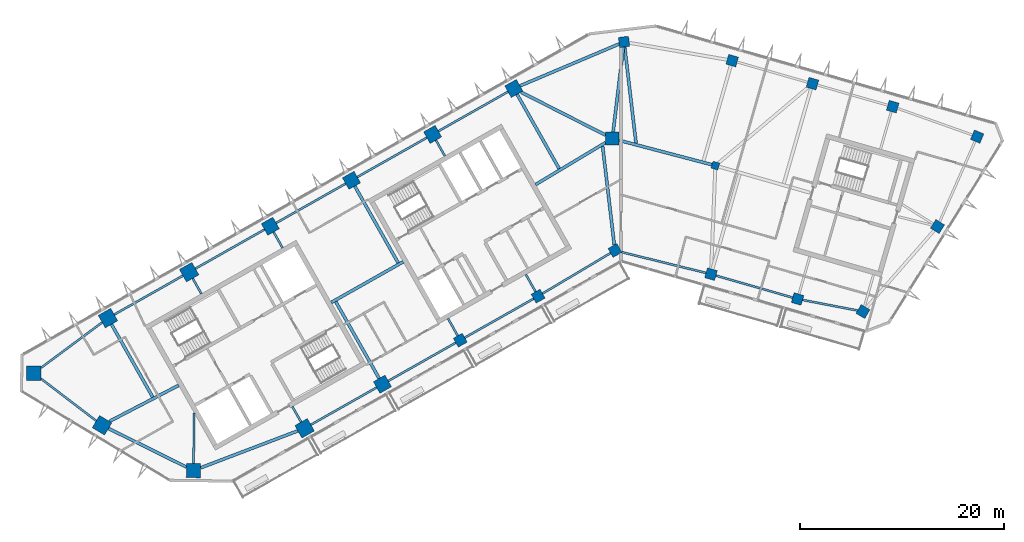
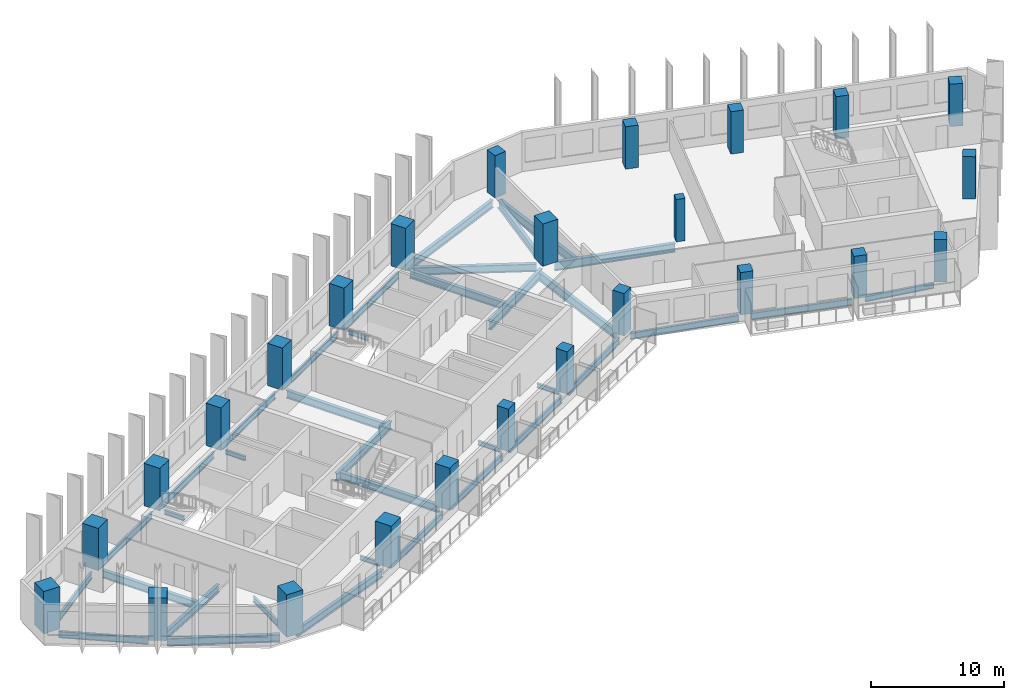
# One storey, part 1 of 12: 36 beams, 25 columns.
"""IFC4 building model written with IfcOpenShell, lengths in metres."""

from ifc_helpers import new_model, si_unit, direction, frame, origin, origin_2d, place, context, subcontext, project, spatial, rectangle, i_section, extrude, material, material_profile, profile_set, type_object, element, save


model = new_model("IFC4")

# Units and contexts
model_context = context("Model", 3, precision=1e-05, world=origin(), true_north=direction((0.0, 1.0)))
body_context = subcontext(model_context, "Body", "Model", "MODEL_VIEW")
ifc_project = project(units=[si_unit("LENGTHUNIT", "METRE"), si_unit("AREAUNIT", "SQUARE_METRE"), si_unit("VOLUMEUNIT", "CUBIC_METRE"), si_unit("PLANEANGLEUNIT", "RADIAN"), si_unit("MASSUNIT", "GRAM", prefix="KILO")], contexts=[model_context])

# Site, building, storey
site_placement = place(None, origin())
site = spatial("IfcSite", under=ifc_project, at=site_placement, CompositionType="ELEMENT")
building_placement = place(site_placement, origin())
building = spatial("IfcBuilding", under=site, at=building_placement, Name="Binnacle Exchange Tower", CompositionType="ELEMENT")
storey_placement = place(building_placement, frame((0.0, 0.0, 238.699951171875)))
storey = spatial("IfcBuildingStorey", under=building, at=storey_placement, Name="L52", CompositionType="ELEMENT", Elevation=238.699951171875)

# Columns
ifc_material_1 = material(Name="Concrete C60/75", Category="concrete")
ifc_material_profile_1 = material_profile(ifc_material_1, rectangle(XDim=0.699951171875, YDim=0.699951171875, at=origin_2d()), Name="Column 700x700 C60/75")
ifc_profile_set_1 = profile_set([ifc_material_profile_1], Name="Concrete C60/75")
column_type_1 = type_object("IfcColumnType", Name="Column 700x700 C60/75", PredefinedType="COLUMN", material=ifc_profile_set_1)
column_placement = place(storey_placement, frame((9.240966796875, 57.35009765625, 0.0), z_axis=(0.0, 0.0, 1.0), x_axis=(0.961261695938, -0.275637355817, 0.0)))
element("IfcColumn", 1, at=column_placement, inside=storey, type_object=column_type_1, Name="S:COL:C19:L52", PredefinedType="COLUMN", context=body_context, shape_type="SweptSolid", body=[
    extrude(rectangle(XDim=0.699951171875, YDim=0.699951171875, at=origin_2d()), origin(), (0.0, 0.0, 1.0), 3.900146484375),
])
ifc_material_profile_2 = material_profile(ifc_material_1, rectangle(XDim=1.0, YDim=1.0, at=origin_2d()), Name="Mega column 1000x1000 C60/75")
ifc_profile_set_2 = profile_set([ifc_material_profile_2], Name="Concrete C60/75")
column_type_2 = type_object("IfcColumnType", Name="Mega column 1000x1000 C60/75", PredefinedType="COLUMN", material=ifc_profile_set_2)
for number, where, z_axis, x_axis, name in (
    (2, (26.602783203125, 63.12353515625, 0.0), (0.0, 0.0, 1.0), (-0.961261695938, 0.275637355817, 0.0), "S:COL:MC52:L52"),
    (3, (18.746337890625, 65.376220703125, 0.0), (0.0, 0.0, 1.0), (-0.961261695938, 0.275637355817, 0.0), "S:COL:MC50:L52"),
    (4, (10.889892578125, 67.62890625, 0.0), (0.0, 0.0, 1.0), (-0.961261695938, 0.275637355817, 0.0), "S:COL:MC48:L52"),
    (5, (0.300048828125, 69.464111328125, 0.0), (0.0, 0.0, 1.0), (-0.993068456955, -0.117537397458, 0.0), "S:COL:MC47:L52"),
    (6, (-15.736328125, 40.257080078125, 0.0), (0.0, 0.0, 1.0), (0.87035569594, 0.492423560103, 0.0), "S:COL:MC24:L52"),
    (7, (-8.116943359375, 44.568115234375, 0.0), (0.0, 0.0, 1.0), (0.87035569594, 0.492423560103, 0.0), "S:COL:MC35:L52"),
    (8, (-0.5908203125, 49.04443359375, 0.0), (0.0, 0.0, 1.0), (0.87035569594, 0.492423560103, 0.0), "S:COL:MC46:L52"),
    (9, (8.8095703125, 46.722412109375, 0.0), (0.0, 0.0, 1.0), (0.961261695938, -0.275637355817, 0.0), "S:COL:MC49:L52"),
    (10, (17.2880859375, 44.291015625, 0.0), (0.0, 0.0, 1.0), (0.961261695938, -0.275637355817, 0.0), "S:COL:MC51:L52"),
    (11, (23.690185546875, 43.062744140625, 0.0), (0.0, 0.0, 1.0), (-0.86532642813, 0.501208711795, 0.0), "S:COL:MC53:L52"),
    (12, (30.989501953125, 51.38623046875, 0.0), (0.0, 0.0, 1.0), (0.529919264233, 0.848048096156, 0.0), "S:COL:MC55:L52"),
    (13, (34.870361328125, 60.18701171875, 0.0), (0.0, 0.0, 1.0), (-0.922814001807, 0.385245789164, 0.0), "S:COL:MC54:L52"),
):
    element("IfcColumn", number, at=place(storey_placement, frame(where, z_axis=z_axis, x_axis=x_axis)), inside=storey, type_object=column_type_2, Name=name, PredefinedType="COLUMN", context=body_context, shape_type="SweptSolid", body=[
        extrude(rectangle(XDim=1.0, YDim=1.0, at=origin_2d()), origin(), (0.0, 0.0, 1.0), 3.900146484375),
    ])
ifc_material_profile_3 = material_profile(ifc_material_1, rectangle(XDim=1.300048828125, YDim=1.300048828125, at=origin_2d()), Name="Mega column 1300x1300 C60/75")
ifc_profile_set_3 = profile_set([ifc_material_profile_3], Name="Concrete C60/75")
column_type_3 = type_object("IfcColumnType", Name="Mega column 1300x1300 C60/75", PredefinedType="COLUMN", material=ifc_profile_set_3)
for number, where, z_axis, x_axis, name in (
    (14, (-10.4951171875, 64.901611328125, 0.0), (0.0, 0.0, 1.0), (-0.87035569594, -0.492423560103, 0.0), "S:COL:MC38:L52"),
    (15, (-18.44140625, 60.406005859375, 0.0), (0.0, 0.0, 1.0), (-0.87035569594, -0.492423560103, 0.0), "S:COL:MC29:L52"),
    (16, (-26.3876953125, 55.91015625, 0.0), (0.0, 0.0, 1.0), (-0.87035569594, -0.492423560103, 0.0), "S:COL:MC21:L52"),
    (17, (-34.333740234375, 51.414306640625, 0.0), (0.0, 0.0, 1.0), (-0.87035569594, -0.492423560103, 0.0), "S:COL:MC13:L52"),
    (18, (-23.35595703125, 35.9462890625, 0.0), (0.0, 0.0, 1.0), (0.87035569594, 0.492423560103, 0.0), "S:COL:MC16:L52"),
    (19, (-0.85009765625, 60.0, 0.0), (0.0, 0.0, 1.0), (0.0, 1.0, 0.0), "S:COL:MC45:L52"),
):
    element("IfcColumn", number, at=place(storey_placement, frame(where, z_axis=z_axis, x_axis=x_axis)), inside=storey, type_object=column_type_3, Name=name, PredefinedType="COLUMN", context=body_context, shape_type="SweptSolid", body=[
        extrude(rectangle(XDim=1.300048828125, YDim=1.300048828125, at=origin_2d()), origin(), (0.0, 0.0, 1.0), 3.900146484375),
    ])
ifc_material_profile_4 = material_profile(ifc_material_1, rectangle(XDim=1.39990234375, YDim=1.39990234375, at=origin_2d()), Name="Mega column 1400x1400 C60/75")
ifc_profile_set_4 = profile_set([ifc_material_profile_4], Name="Concrete C60/75")
column_type_4 = type_object("IfcColumnType", Name="Mega column 1400x1400 C60/75", PredefinedType="COLUMN", material=ifc_profile_set_4)
for number, where, z_axis, x_axis, name in (
    (20, (-42.280029296875, 46.918701171875, 0.0), (0.0, 0.0, 1.0), (-0.87035569594, -0.492423560103, 0.0), "S:COL:MC08:L52"),
    (21, (-50.226318359375, 42.4228515625, 0.0), (0.0, 0.0, 1.0), (-0.87035569594, -0.492423560103, 0.0), "S:COL:MC04:L52"),
    (22, (-57.492919921875, 37.02734375, 0.0), (0.0, 0.0, 1.0), (-0.013089595571, -0.999914327574, 0.0), "S:COL:MC02:L52"),
    (23, (-50.81201171875, 31.930908203125, 0.0), (0.0, 0.0, 1.0), (0.857167300702, -0.51503807491, 0.0), "S:COL:MC01:L52"),
    (24, (-41.857666015625, 27.494873046875, 0.0), (0.0, 0.0, 1.0), (0.999914327574, -0.013089595571, 0.0), "S:COL:MC03:L52"),
    (25, (-30.9755859375, 31.63525390625, 0.0), (0.0, 0.0, 1.0), (0.87035569594, 0.492423560103, 0.0), "S:COL:MC07:L52"),
):
    element("IfcColumn", number, at=place(storey_placement, frame(where, z_axis=z_axis, x_axis=x_axis)), inside=storey, type_object=column_type_4, Name=name, PredefinedType="COLUMN", context=body_context, shape_type="SweptSolid", body=[
        extrude(rectangle(XDim=1.39990234375, YDim=1.39990234375, at=origin_2d()), origin(), (0.0, 0.0, 1.0), 3.900146484375),
    ])

# Beams
ifc_material_2 = material(Name="Steel S355 (SHN355)", Category="steel")
ifc_material_profile_5 = material_profile(ifc_material_2, i_section(OverallWidth=0.199951171875, OverallDepth=0.5, WebThickness=0.010009765625, FlangeThickness=0.01611328125, FilletRadius=0.02001953125, at=origin_2d()), Name="H 500x200x10x16")
ifc_profile_set_5 = profile_set([ifc_material_profile_5], Name="Steel S355 (SHN355)")
beam_type_1 = type_object("IfcBeamType", Name="Edge girder H 500x200x10x16 Steel S355 (SHN355)", PredefinedType="SPANDREL", material=ifc_profile_set_5)
beam_1_placement = place(storey_placement, frame((17.78125, 44.196533203125, -0.530029296875), z_axis=(0.98208728148, -0.188426568073, 0.0), x_axis=(0.188426568073, 0.98208728148, 0.0)))
element("IfcBeam", 26, at=beam_1_placement, inside=storey, type_object=beam_type_1, Name="S:BM:edge:L52:028", PredefinedType="SPANDREL", context=body_context, shape_type="SweptSolid", body=[
    extrude(i_section(OverallWidth=0.199951171875, OverallDepth=0.5, WebThickness=0.010009765625, FlangeThickness=0.01611328125, FilletRadius=0.02001953125, at=origin_2d()), origin(), (0.0, 0.0, 1.0), 5.4873046875),
])
ifc_material_profile_6 = material_profile(ifc_material_2, i_section(OverallWidth=0.199951171875, OverallDepth=0.60009765625, WebThickness=0.010986328125, FlangeThickness=0.01708984375, FilletRadius=0.02197265625, at=origin_2d()), Name="H 600x200x11x17")
ifc_profile_set_6 = profile_set([ifc_material_profile_6], Name="Steel S355 (SHN355)")
beam_type_2 = type_object("IfcBeamType", Name="Edge girder H 600x200x11x17 Steel S355 (SHN355)", PredefinedType="SPANDREL", material=ifc_profile_set_6)
beam_2_placement = place(storey_placement, frame((-56.7998046875, 36.49853515625, -0.579833984375), z_axis=(0.795081038606, -0.606503208606, 0.0), x_axis=(0.606503208606, 0.795081038606, 0.0)))
element("IfcBeam", 27, at=beam_2_placement, inside=storey, type_object=beam_type_2, Name="S:BM:edge:L52:011", PredefinedType="SPANDREL", context=body_context, shape_type="SweptSolid", body=[
    extrude(i_section(OverallWidth=0.199951171875, OverallDepth=0.60009765625, WebThickness=0.010986328125, FlangeThickness=0.01708984375, FilletRadius=0.02197265625, at=origin_2d()), origin(), (0.0, 0.0, 1.0), 6.82666015625),
])
ifc_material_profile_7 = material_profile(ifc_material_2, i_section(OverallWidth=0.200927734375, OverallDepth=0.60595703125, WebThickness=0.011962890625, FlangeThickness=0.02001953125, FilletRadius=0.02197265625, at=origin_2d()), Name="H 606x201x12x20")
ifc_profile_set_7 = profile_set([ifc_material_profile_7], Name="Steel S355 (SHN355)")
beam_type_3 = type_object("IfcBeamType", Name="Edge girder H 606x201x12x20 Steel S355 (SHN355)", PredefinedType="SPANDREL", material=ifc_profile_set_7)
beam_3_placement = place(storey_placement, frame((-50.79248046875, 42.00244140625, -0.5830078125), z_axis=(-0.802886959261, -0.596131303194, 0.0), x_axis=(0.596131303194, -0.802886959261, 0.0)))
element("IfcBeam", 28, at=beam_3_placement, inside=storey, type_object=beam_type_3, Name="S:BM:edge:L52:012", PredefinedType="SPANDREL", context=body_context, shape_type="SweptSolid", body=[
    extrude(i_section(OverallWidth=0.200927734375, OverallDepth=0.60595703125, WebThickness=0.011962890625, FlangeThickness=0.02001953125, FilletRadius=0.02197265625, at=origin_2d()), origin(), (0.0, 0.0, 1.0), 7.465087890625),
])
beam_4_placement = place(storey_placement, frame((-30.3662109375, 31.97998046875, -0.5830078125), z_axis=(0.87035151347, 0.49243095252, 0.0), x_axis=(-0.49243095252, 0.87035151347, 0.0)))
element("IfcBeam", 29, at=beam_4_placement, inside=storey, type_object=beam_type_3, Name="S:BM:edge:L52:017", PredefinedType="SPANDREL", context=body_context, shape_type="SweptSolid", body=[
    extrude(i_section(OverallWidth=0.200927734375, OverallDepth=0.60595703125, WebThickness=0.011962890625, FlangeThickness=0.02001953125, FilletRadius=0.02197265625, at=origin_2d()), origin(), (0.0, 0.0, 1.0), 7.404541015625),
])
beam_5_placement = place(storey_placement, frame((-22.790283203125, 36.266357421875, -0.5830078125), z_axis=(0.870357072119, 0.492421127708, 0.0), x_axis=(-0.492421127708, 0.870357072119, 0.0)))
element("IfcBeam", 30, at=beam_5_placement, inside=storey, type_object=beam_type_3, Name="S:BM:edge:L52:019", PredefinedType="SPANDREL", context=body_context, shape_type="SweptSolid", body=[
    extrude(i_section(OverallWidth=0.200927734375, OverallDepth=0.60595703125, WebThickness=0.011962890625, FlangeThickness=0.02001953125, FilletRadius=0.02197265625, at=origin_2d()), origin(), (0.0, 0.0, 1.0), 7.6044921875),
])
beam_6_placement = place(storey_placement, frame((-15.30126953125, 40.50341796875, -0.5830078125), z_axis=(0.870352841483, 0.492428605304, 0.0), x_axis=(-0.492428605304, 0.870352841483, 0.0)))
element("IfcBeam", 31, at=beam_6_placement, inside=storey, type_object=beam_type_3, Name="S:BM:edge:L52:021", PredefinedType="SPANDREL", context=body_context, shape_type="SweptSolid", body=[
    extrude(i_section(OverallWidth=0.200927734375, OverallDepth=0.60595703125, WebThickness=0.011962890625, FlangeThickness=0.02001953125, FilletRadius=0.02197265625, at=origin_2d()), origin(), (0.0, 0.0, 1.0), 7.754638671875),
])
beam_7_placement = place(storey_placement, frame((-7.68701171875, 44.82373046875, -0.5830078125), z_axis=(0.859458521045, 0.51120548765, 0.0), x_axis=(-0.51120548765, 0.859458521045, 0.0)))
element("IfcBeam", 32, at=beam_7_placement, inside=storey, type_object=beam_type_3, Name="S:BM:edge:L52:023", PredefinedType="SPANDREL", context=body_context, shape_type="SweptSolid", body=[
    extrude(i_section(OverallWidth=0.200927734375, OverallDepth=0.60595703125, WebThickness=0.011962890625, FlangeThickness=0.02001953125, FilletRadius=0.02197265625, at=origin_2d()), origin(), (0.0, 0.0, 1.0), 7.75634765625),
])
beam_8_placement = place(storey_placement, frame((9.2900390625, 46.58447265625, -0.5830078125), z_axis=(0.961265533153, -0.275623973506, 0.0), x_axis=(0.275623973506, 0.961265533153, 0.0)))
element("IfcBeam", 33, at=beam_8_placement, inside=storey, type_object=beam_type_3, Name="S:BM:edge:L52:026", PredefinedType="SPANDREL", context=body_context, shape_type="SweptSolid", body=[
    extrude(i_section(OverallWidth=0.200927734375, OverallDepth=0.60595703125, WebThickness=0.011962890625, FlangeThickness=0.02001953125, FilletRadius=0.02197265625, at=origin_2d()), origin(), (0.0, 0.0, 1.0), 7.820556640625),
])
ifc_material_profile_8 = material_profile(ifc_material_2, i_section(OverallWidth=0.201904296875, OverallDepth=0.612060546875, WebThickness=0.012939453125, FlangeThickness=0.02294921875, FilletRadius=0.02197265625, at=origin_2d()), Name="H 612x202x13x23")
ifc_profile_set_8 = profile_set([ifc_material_profile_8], Name="Steel S355 (SHN355)")
beam_type_4 = type_object("IfcBeamType", Name="Edge girder H 612x202x13x23 Steel S355 (SHN355)", PredefinedType="SPANDREL", material=ifc_profile_set_8)
beam_9_placement = place(storey_placement, frame((-42.88916015625, 46.573974609375, -0.5859375), z_axis=(-0.870355702011, -0.492423549372, 0.0), x_axis=(0.492423549372, -0.870355702011, 0.0)))
element("IfcBeam", 34, at=beam_9_placement, inside=storey, type_object=beam_type_4, Name="S:BM:edge:L52:014", PredefinedType="SPANDREL", context=body_context, shape_type="SweptSolid", body=[
    extrude(i_section(OverallWidth=0.201904296875, OverallDepth=0.612060546875, WebThickness=0.012939453125, FlangeThickness=0.02294921875, FilletRadius=0.02197265625, at=origin_2d()), origin(), (0.0, 0.0, 1.0), 7.72998046875),
])
beam_10_placement = place(storey_placement, frame((-34.8994140625, 51.09423828125, -0.5859375), z_axis=(-0.870365218126, -0.492406729317, 0.0), x_axis=(0.492406729317, -0.870365218126, 0.0)))
element("IfcBeam", 35, at=beam_10_placement, inside=storey, type_object=beam_type_4, Name="S:BM:edge:L52:016", PredefinedType="SPANDREL", context=body_context, shape_type="SweptSolid", body=[
    extrude(i_section(OverallWidth=0.201904296875, OverallDepth=0.612060546875, WebThickness=0.012939453125, FlangeThickness=0.02294921875, FilletRadius=0.02197265625, at=origin_2d()), origin(), (0.0, 0.0, 1.0), 7.77978515625),
])
beam_11_placement = place(storey_placement, frame((-26.953369140625, 55.590087890625, -0.5859375), z_axis=(-0.870361249296, -0.492413744452, 0.0), x_axis=(0.492413744452, -0.870361249296, 0.0)))
element("IfcBeam", 36, at=beam_11_placement, inside=storey, type_object=beam_type_4, Name="S:BM:edge:L52:018", PredefinedType="SPANDREL", context=body_context, shape_type="SweptSolid", body=[
    extrude(i_section(OverallWidth=0.201904296875, OverallDepth=0.612060546875, WebThickness=0.012939453125, FlangeThickness=0.02294921875, FilletRadius=0.02197265625, at=origin_2d()), origin(), (0.0, 0.0, 1.0), 7.829833984375),
])
beam_12_placement = place(storey_placement, frame((-19.007080078125, 60.0859375, -0.5859375), z_axis=(-0.870355446453, -0.492424001069, 0.0), x_axis=(0.492424001069, -0.870355446453, 0.0)))
element("IfcBeam", 37, at=beam_12_placement, inside=storey, type_object=beam_type_4, Name="S:BM:edge:L52:020", PredefinedType="SPANDREL", context=body_context, shape_type="SweptSolid", body=[
    extrude(i_section(OverallWidth=0.201904296875, OverallDepth=0.612060546875, WebThickness=0.012939453125, FlangeThickness=0.02294921875, FilletRadius=0.02197265625, at=origin_2d()), origin(), (0.0, 0.0, 1.0), 7.830078125),
])
beam_13_placement = place(storey_placement, frame((-11.060791015625, 64.58154296875, -0.5859375), z_axis=(-0.870361249296, -0.492413744452, 0.0), x_axis=(0.492413744452, -0.870361249296, 0.0)))
element("IfcBeam", 38, at=beam_13_placement, inside=storey, type_object=beam_type_4, Name="S:BM:edge:L52:022", PredefinedType="SPANDREL", context=body_context, shape_type="SweptSolid", body=[
    extrude(i_section(OverallWidth=0.201904296875, OverallDepth=0.612060546875, WebThickness=0.012939453125, FlangeThickness=0.02294921875, FilletRadius=0.02197265625, at=origin_2d()), origin(), (0.0, 0.0, 1.0), 7.829833984375),
])
beam_14_placement = place(storey_placement, frame((0.076904296875, 48.87939453125, -0.5859375), z_axis=(0.970819987475, -0.239809407487, 0.0), x_axis=(0.239809407487, 0.970819987475, 0.0)))
element("IfcBeam", 39, at=beam_14_placement, inside=storey, type_object=beam_type_4, Name="S:BM:edge:L52:025", PredefinedType="SPANDREL", context=body_context, shape_type="SweptSolid", body=[
    extrude(i_section(OverallWidth=0.201904296875, OverallDepth=0.612060546875, WebThickness=0.012939453125, FlangeThickness=0.02294921875, FilletRadius=0.02197265625, at=origin_2d()), origin(), (0.0, 0.0, 1.0), 8.49462890625),
])
ifc_material_profile_9 = material_profile(ifc_material_2, i_section(OverallWidth=0.300048828125, OverallDepth=0.699951171875, WebThickness=0.012939453125, FlangeThickness=0.02392578125, FilletRadius=0.028076171875, at=origin_2d()), Name="H 700x300x13x24")
ifc_profile_set_9 = profile_set([ifc_material_profile_9], Name="Steel S355 (SHN355)")
beam_type_5 = type_object("IfcBeamType", Name="Edge girder H 700x300x13x24 Steel S355 (SHN355)", PredefinedType="SPANDREL", material=ifc_profile_set_9)
beam_15_placement = place(storey_placement, frame((-50.1826171875, 31.619140625, -0.6298828125), z_axis=(0.896061326398, -0.443930286569, 0.0), x_axis=(0.443930286569, 0.896061326398, 0.0)))
element("IfcBeam", 40, at=beam_15_placement, inside=storey, type_object=beam_type_5, Name="S:BM:edge:L52:013", PredefinedType="SPANDREL", context=body_context, shape_type="SweptSolid", body=[
    extrude(i_section(OverallWidth=0.300048828125, OverallDepth=0.699951171875, WebThickness=0.012939453125, FlangeThickness=0.02392578125, FilletRadius=0.028076171875, at=origin_2d()), origin(), (0.0, 0.0, 1.0), 8.514404296875),
])
beam_16_placement = place(storey_placement, frame((-41.154052734375, 27.762451171875, -0.6298828125), z_axis=(0.934627442278, 0.355628379268, 0.0), x_axis=(-0.355628379268, 0.934627442278, 0.0)))
element("IfcBeam", 41, at=beam_16_placement, inside=storey, type_object=beam_type_5, Name="S:BM:edge:L52:015", PredefinedType="SPANDREL", context=body_context, shape_type="SweptSolid", body=[
    extrude(i_section(OverallWidth=0.300048828125, OverallDepth=0.699951171875, WebThickness=0.012939453125, FlangeThickness=0.02392578125, FilletRadius=0.028076171875, at=origin_2d()), origin(), (0.0, 0.0, 1.0), 10.18212890625),
])
beam_17_placement = place(storey_placement, frame((-0.179443359375, 69.261474609375, -0.6298828125), z_axis=(-0.921114178723, -0.389292524659, 0.0), x_axis=(0.389292524659, -0.921114178723, 0.0)))
element("IfcBeam", 42, at=beam_17_placement, inside=storey, type_object=beam_type_5, Name="S:BM:edge:L52:024", PredefinedType="SPANDREL", context=body_context, shape_type="SweptSolid", body=[
    extrude(i_section(OverallWidth=0.300048828125, OverallDepth=0.699951171875, WebThickness=0.012939453125, FlangeThickness=0.02392578125, FilletRadius=0.028076171875, at=origin_2d()), origin(), (0.0, 0.0, 1.0), 10.544677734375),
])
ifc_material_profile_10 = material_profile(ifc_material_2, i_section(OverallWidth=0.199951171875, OverallDepth=0.39990234375, WebThickness=0.008056640625, FlangeThickness=0.012939453125, FilletRadius=0.01611328125, at=origin_2d()), Name="H 400x200x8x13")
ifc_profile_set_10 = profile_set([ifc_material_profile_10], Name="Steel S355 (SHN355)")
beam_type_6 = type_object("IfcBeamType", Name="Floor beam H 400x200x8x13 Steel S355 (SHN355)", PredefinedType="BEAM", material=ifc_profile_set_10)
beam_18_placement = place(storey_placement, frame((-41.935302734375, 46.3095703125, -0.47998046875), z_axis=(0.492405102951, -0.870366138236, 0.0), x_axis=(0.870366138236, 0.492405102951, 0.0)))
element("IfcBeam", 43, at=beam_18_placement, inside=storey, type_object=beam_type_6, Name="S:BM:cross:L52:035", PredefinedType="BEAM", context=body_context, shape_type="SweptSolid", body=[
    extrude(i_section(OverallWidth=0.199951171875, OverallDepth=0.39990234375, WebThickness=0.008056640625, FlangeThickness=0.012939453125, FilletRadius=0.01611328125, at=origin_2d()), origin(), (0.0, 0.0, 1.0), 1.734375),
])
beam_19_placement = place(storey_placement, frame((-34.013671875, 50.8486328125, -0.47998046875), z_axis=(0.492435931281, -0.870348696548, 0.0), x_axis=(0.870348696548, 0.492435931281, 0.0)))
element("IfcBeam", 44, at=beam_19_placement, inside=storey, type_object=beam_type_6, Name="S:BM:cross:L52:037", PredefinedType="BEAM", context=body_context, shape_type="SweptSolid", body=[
    extrude(i_section(OverallWidth=0.199951171875, OverallDepth=0.39990234375, WebThickness=0.008056640625, FlangeThickness=0.012939453125, FilletRadius=0.01611328125, at=origin_2d()), origin(), (0.0, 0.0, 1.0), 1.784423828125),
])
beam_20_placement = place(storey_placement, frame((-31.3203125, 32.244384765625, -0.47998046875), z_axis=(-0.492405102951, 0.870366138236, 0.0), x_axis=(-0.870366138236, -0.492405102951, 0.0)))
element("IfcBeam", 45, at=beam_20_placement, inside=storey, type_object=beam_type_6, Name="S:BM:cross:L52:038", PredefinedType="BEAM", context=body_context, shape_type="SweptSolid", body=[
    extrude(i_section(OverallWidth=0.199951171875, OverallDepth=0.39990234375, WebThickness=0.008056640625, FlangeThickness=0.012939453125, FilletRadius=0.01611328125, at=origin_2d()), origin(), (0.0, 0.0, 1.0), 1.734375),
])
beam_21_placement = place(storey_placement, frame((-18.12109375, 59.84033203125, -0.47998046875), z_axis=(0.49233227435, -0.870407336615, 0.0), x_axis=(0.870407336615, 0.49233227435, 0.0)))
element("IfcBeam", 46, at=beam_21_placement, inside=storey, type_object=beam_type_6, Name="S:BM:cross:L52:041", PredefinedType="BEAM", context=body_context, shape_type="SweptSolid", body=[
    extrude(i_section(OverallWidth=0.199951171875, OverallDepth=0.39990234375, WebThickness=0.008056640625, FlangeThickness=0.012939453125, FilletRadius=0.01611328125, at=origin_2d()), origin(), (0.0, 0.0, 1.0), 1.7841796875),
])
for number, where, z_axis, x_axis, name in (
    (47, (-15.982666015625, 40.6923828125, -0.47998046875), (-0.492369148916, 0.870386478063, 0.0), (-0.870386478063, -0.492369148916, 0.0), "S:BM:cross:L52:042"),
    (48, (-8.363037109375, 45.00341796875, -0.47998046875), (-0.492518856771, 0.870301772792, 0.0), (-0.870301772792, -0.492518856771, 0.0), "S:BM:cross:L52:044"),
):
    element("IfcBeam", number, at=place(storey_placement, frame(where, z_axis=z_axis, x_axis=x_axis)), inside=storey, type_object=beam_type_6, Name=name, PredefinedType="BEAM", context=body_context, shape_type="SweptSolid", body=[
        extrude(i_section(OverallWidth=0.199951171875, OverallDepth=0.39990234375, WebThickness=0.008056640625, FlangeThickness=0.012939453125, FilletRadius=0.01611328125, at=origin_2d()), origin(), (0.0, 0.0, 1.0), 1.934326171875),
    ])
ifc_material_profile_11 = material_profile(ifc_material_2, i_section(OverallWidth=0.200927734375, OverallDepth=0.506103515625, WebThickness=0.010986328125, FlangeThickness=0.01904296875, FilletRadius=0.02001953125, at=origin_2d()), Name="H 506x201x11x19")
ifc_profile_set_11 = profile_set([ifc_material_profile_11], Name="Steel S355 (SHN355)")
beam_type_7 = type_object("IfcBeamType", Name="Floor beam H 506x201x11x19 Steel S355 (SHN355)", PredefinedType="BEAM", material=ifc_profile_set_11)
beam_22_placement = place(storey_placement, frame((-41.848388671875, 28.194580078125, -0.532958984375), z_axis=(0.013067878487, 0.99991461163, 0.0), x_axis=(-0.99991461163, 0.013067878487, 0.0)))
element("IfcBeam", 49, at=beam_22_placement, inside=storey, type_object=beam_type_7, Name="S:BM:cross:L52:036", PredefinedType="BEAM", context=body_context, shape_type="SweptSolid", body=[
    extrude(i_section(OverallWidth=0.200927734375, OverallDepth=0.506103515625, WebThickness=0.010986328125, FlangeThickness=0.01904296875, FilletRadius=0.02001953125, at=origin_2d()), origin(), (0.0, 0.0, 1.0), 4.950927734375),
])
ifc_material_profile_12 = material_profile(ifc_material_2, i_section(OverallWidth=0.300048828125, OverallDepth=0.699951171875, WebThickness=0.012939453125, FlangeThickness=0.02392578125, FilletRadius=0.028076171875, at=origin_2d()), Name="H 700x300x13x24")
ifc_profile_set_12 = profile_set([ifc_material_profile_12], Name="Steel S355 (SHN355)")
beam_type_8 = type_object("IfcBeamType", Name="Floor beam H 700x300x13x24 Steel S355 (SHN355)", PredefinedType="BEAM", material=ifc_profile_set_12)
beam_23_placement = place(storey_placement, frame((-49.881591796875, 41.813720703125, -0.6298828125), z_axis=(0.492430408551, -0.870351821239, 0.0), x_axis=(0.870351821239, 0.492430408551, 0.0)))
element("IfcBeam", 50, at=beam_23_placement, inside=storey, type_object=beam_type_8, Name="S:BM:cross:L52:034", PredefinedType="BEAM", context=body_context, shape_type="SweptSolid", body=[
    extrude(i_section(OverallWidth=0.300048828125, OverallDepth=0.699951171875, WebThickness=0.012939453125, FlangeThickness=0.02392578125, FilletRadius=0.028076171875, at=origin_2d()), origin(), (0.0, 0.0, 1.0), 8.19140625),
])
beam_24_placement = place(storey_placement, frame((-10.175048828125, 64.3359375, -0.6298828125), z_axis=(0.492424391334, -0.870355225652, 0.0), x_axis=(0.870355225652, 0.492424391334, 0.0)))
element("IfcBeam", 51, at=beam_24_placement, inside=storey, type_object=beam_type_8, Name="S:BM:cross:L52:043", PredefinedType="BEAM", context=body_context, shape_type="SweptSolid", body=[
    extrude(i_section(OverallWidth=0.300048828125, OverallDepth=0.699951171875, WebThickness=0.012939453125, FlangeThickness=0.02392578125, FilletRadius=0.028076171875, at=origin_2d()), origin(), (0.0, 0.0, 1.0), 8.369384765625),
])
ifc_material_profile_13 = material_profile(ifc_material_2, i_section(OverallWidth=0.302001953125, OverallDepth=0.7080078125, WebThickness=0.014892578125, FlangeThickness=0.028076171875, FilletRadius=0.028076171875, at=origin_2d()), Name="H 708x302x15x28")
ifc_profile_set_13 = profile_set([ifc_material_profile_13], Name="Steel S355 (SHN355)")
beam_type_9 = type_object("IfcBeamType", Name="Floor beam H 708x302x15x28 Steel S355 (SHN355)", PredefinedType="BEAM", material=ifc_profile_set_13)
beam_25_placement = place(storey_placement, frame((-26.0673828125, 55.344482421875, -0.634033203125), z_axis=(0.492401028839, -0.870368443131, 0.0), x_axis=(0.870368443131, 0.492401028839, 0.0)))
element("IfcBeam", 52, at=beam_25_placement, inside=storey, type_object=beam_type_9, Name="S:BM:cross:L52:039", PredefinedType="BEAM", context=body_context, shape_type="SweptSolid", body=[
    extrude(i_section(OverallWidth=0.302001953125, OverallDepth=0.7080078125, WebThickness=0.014892578125, FlangeThickness=0.028076171875, FilletRadius=0.028076171875, at=origin_2d()), origin(), (0.0, 0.0, 1.0), 8.634033203125),
])
beam_26_placement = place(storey_placement, frame((-23.676025390625, 36.511962890625, -0.634033203125), z_axis=(-0.492422448747, 0.870356324714, 0.0), x_axis=(-0.870356324714, -0.492422448747, 0.0)))
element("IfcBeam", 53, at=beam_26_placement, inside=storey, type_object=beam_type_9, Name="S:BM:cross:L52:040", PredefinedType="BEAM", context=body_context, shape_type="SweptSolid", body=[
    extrude(i_section(OverallWidth=0.302001953125, OverallDepth=0.7080078125, WebThickness=0.014892578125, FlangeThickness=0.028076171875, FilletRadius=0.028076171875, at=origin_2d()), origin(), (0.0, 0.0, 1.0), 8.63427734375),
])
ifc_material_profile_14 = material_profile(ifc_material_2, i_section(OverallWidth=0.300048828125, OverallDepth=0.800048828125, WebThickness=0.013916015625, FlangeThickness=0.02587890625, FilletRadius=0.028076171875, at=origin_2d()), Name="H 800x300x14x26")
ifc_profile_set_14 = profile_set([ifc_material_profile_14], Name="Steel S355 (SHN355)")
beam_type_10 = type_object("IfcBeamType", Name="Floor beam H 800x300x14x26 Steel S355 (SHN355)", PredefinedType="BEAM", material=ifc_profile_set_14)
beam_27_placement = place(storey_placement, frame((-0.654541015625, 49.5830078125, -0.679931640625), z_axis=(-0.117538284625, 0.993068351951, 0.0), x_axis=(-0.993068351951, -0.117538284625, 0.0)))
element("IfcBeam", 54, at=beam_27_placement, inside=storey, type_object=beam_type_10, Name="S:BM:cross:L52:045", PredefinedType="BEAM", context=body_context, shape_type="SweptSolid", body=[
    extrude(i_section(OverallWidth=0.300048828125, OverallDepth=0.800048828125, WebThickness=0.013916015625, FlangeThickness=0.02587890625, FilletRadius=0.028076171875, at=origin_2d()), origin(), (0.0, 0.0, 1.0), 9.754150390625),
])
beam_28_placement = place(storey_placement, frame((0.35888671875, 68.9677734375, -0.679931640625), z_axis=(0.117547988923, -0.993067203315, 0.0), x_axis=(0.993067203315, 0.117547988923, 0.0)))
element("IfcBeam", 55, at=beam_28_placement, inside=storey, type_object=beam_type_10, Name="S:BM:cross:L52:046", PredefinedType="BEAM", context=body_context, shape_type="SweptSolid", body=[
    extrude(i_section(OverallWidth=0.300048828125, OverallDepth=0.800048828125, WebThickness=0.013916015625, FlangeThickness=0.02587890625, FilletRadius=0.028076171875, at=origin_2d()), origin(), (0.0, 0.0, 1.0), 9.5),
])
ifc_material_profile_15 = material_profile(ifc_material_2, i_section(OverallWidth=0.300048828125, OverallDepth=0.699951171875, WebThickness=0.012939453125, FlangeThickness=0.02392578125, FilletRadius=0.028076171875, at=origin_2d()), Name="H 700x300x13x24")
ifc_profile_set_15 = profile_set([ifc_material_profile_15], Name="Steel S355 (SHN355)")
beam_type_11 = type_object("IfcBeamType", Name="Spine girder H 700x300x13x24 Steel S355 (SHN355)", PredefinedType="BEAM", material=ifc_profile_set_15)
beam_29_placement = place(storey_placement, frame((-50.083740234375, 32.31005859375, -0.6298828125), z_axis=(0.886975994229, 0.46181553207, 0.0), x_axis=(-0.46181553207, 0.886975994229, 0.0)))
element("IfcBeam", 56, at=beam_29_placement, inside=storey, type_object=beam_type_11, Name="S:BM:spine:L52:001", PredefinedType="BEAM", context=body_context, shape_type="SweptSolid", body=[
    extrude(i_section(OverallWidth=0.300048828125, OverallDepth=0.699951171875, WebThickness=0.012939453125, FlangeThickness=0.02392578125, FilletRadius=0.028076171875, at=origin_2d()), origin(), (0.0, 0.0, 1.0), 7.6396484375),
])
beam_30_placement = place(storey_placement, frame((-1.5, 60.330322265625, -0.6298828125), z_axis=(-0.891481538846, 0.453057022786, 0.0), x_axis=(-0.453057022786, -0.891481538846, 0.0)))
element("IfcBeam", 57, at=beam_30_placement, inside=storey, type_object=beam_type_11, Name="S:BM:spine:L52:004", PredefinedType="BEAM", context=body_context, shape_type="SweptSolid", body=[
    extrude(i_section(OverallWidth=0.300048828125, OverallDepth=0.699951171875, WebThickness=0.012939453125, FlangeThickness=0.02392578125, FilletRadius=0.028076171875, at=origin_2d()), origin(), (0.0, 0.0, 1.0), 9.31005859375),
])
beam_31_placement = place(storey_placement, frame((-0.77099609375, 60.64990234375, -0.6298828125), z_axis=(0.120632086068, 0.992697285083, 0.0), x_axis=(-0.992697285083, 0.120632086068, 0.0)))
element("IfcBeam", 58, at=beam_31_placement, inside=storey, type_object=beam_type_11, Name="S:BM:spine:L52:005", PredefinedType="BEAM", context=body_context, shape_type="SweptSolid", body=[
    extrude(i_section(OverallWidth=0.300048828125, OverallDepth=0.699951171875, WebThickness=0.012939453125, FlangeThickness=0.02392578125, FilletRadius=0.028076171875, at=origin_2d()), origin(), (0.0, 0.0, 1.0), 8.364501953125),
])
ifc_material_profile_16 = material_profile(ifc_material_2, i_section(OverallWidth=0.302001953125, OverallDepth=0.7080078125, WebThickness=0.014892578125, FlangeThickness=0.028076171875, FilletRadius=0.028076171875, at=origin_2d()), Name="H 708x302x15x28")
ifc_profile_set_16 = profile_set([ifc_material_profile_16], Name="Steel S355 (SHN355)")
beam_type_12 = type_object("IfcBeamType", Name="Spine girder H 708x302x15x28 Steel S355 (SHN355)", PredefinedType="BEAM", material=ifc_profile_set_16)
beam_32_placement = place(storey_placement, frame((-28.365478515625, 43.951416015625, -0.634033203125), z_axis=(0.870350319004, 0.492433063684, 0.0), x_axis=(-0.492433063684, 0.870350319004, 0.0)))
element("IfcBeam", 59, at=beam_32_placement, inside=storey, type_object=beam_type_12, Name="S:BM:spine:L52:002", PredefinedType="BEAM", context=body_context, shape_type="SweptSolid", body=[
    extrude(i_section(OverallWidth=0.302001953125, OverallDepth=0.7080078125, WebThickness=0.014892578125, FlangeThickness=0.028076171875, FilletRadius=0.028076171875, at=origin_2d()), origin(), (0.0, 0.0, 1.0), 8.0908203125),
])
ifc_material_profile_17 = material_profile(ifc_material_2, i_section(OverallWidth=0.300048828125, OverallDepth=0.800048828125, WebThickness=0.013916015625, FlangeThickness=0.02587890625, FilletRadius=0.028076171875, at=origin_2d()), Name="H 800x300x14x26")
ifc_profile_set_17 = profile_set([ifc_material_profile_17], Name="Steel S355 (SHN355)")
beam_type_13 = type_object("IfcBeamType", Name="Spine girder H 800x300x14x26 Steel S355 (SHN355)", PredefinedType="BEAM", material=ifc_profile_set_17)
beam_33_placement = place(storey_placement, frame((-8.36328125, 55.489990234375, -0.679931640625), z_axis=(0.857387955422, 0.514670665472, 0.0), x_axis=(-0.514670665472, 0.857387955422, 0.0)))
element("IfcBeam", 60, at=beam_33_placement, inside=storey, type_object=beam_type_13, Name="S:BM:spine:L52:003", PredefinedType="BEAM", context=body_context, shape_type="SweptSolid", body=[
    extrude(i_section(OverallWidth=0.300048828125, OverallDepth=0.800048828125, WebThickness=0.013916015625, FlangeThickness=0.02587890625, FilletRadius=0.028076171875, at=origin_2d()), origin(), (0.0, 0.0, 1.0), 8.0048828125),
])
beam_34_placement = place(storey_placement, frame((-0.199951171875, 59.829345703125, -0.679931640625), z_axis=(0.967210495765, -0.253976095098, 0.0), x_axis=(0.253976095098, 0.967210495765, 0.0)))
element("IfcBeam", 61, at=beam_34_placement, inside=storey, type_object=beam_type_13, Name="S:BM:spine:L52:006", PredefinedType="BEAM", context=body_context, shape_type="SweptSolid", body=[
    extrude(i_section(OverallWidth=0.300048828125, OverallDepth=0.800048828125, WebThickness=0.013916015625, FlangeThickness=0.02587890625, FilletRadius=0.028076171875, at=origin_2d()), origin(), (0.0, 0.0, 1.0), 9.410888671875),
])

save(model, "model.ifc")
